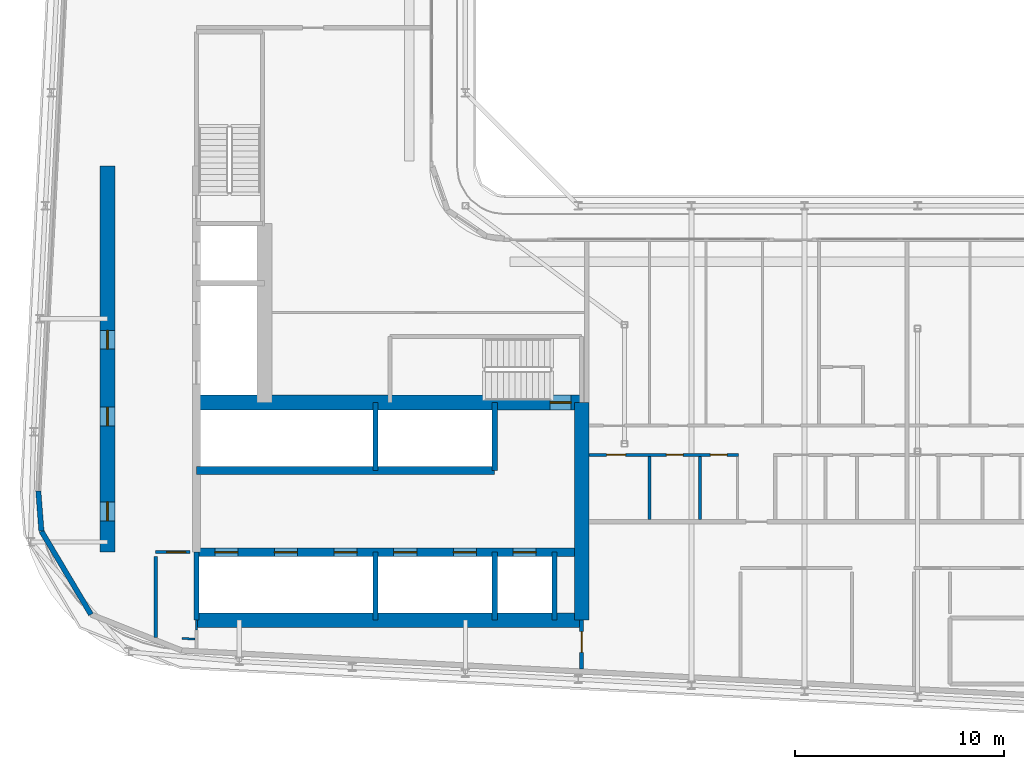
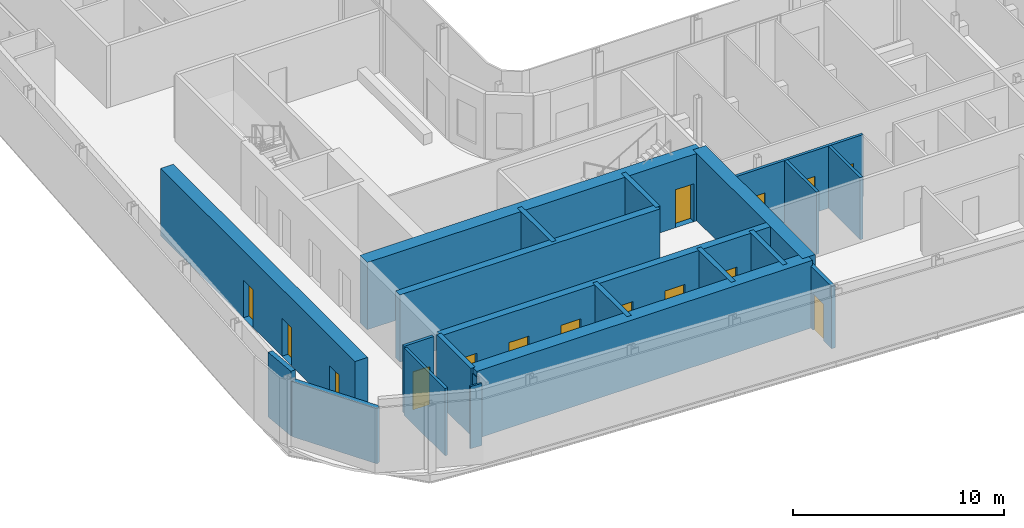
# One storey, part 10 of 23: 22 walls, 15 doors, 15 openings.
"""IFC4 building model written with IfcOpenShell, lengths in metres."""

import ifcopenshell
import ifcopenshell.guid

model = None  # the IFC model being written
_history = None  # IfcOwnerHistory: only IFC2X3 demands one
_inside = {}  # id of a spatial element -> (the spatial element, [elements in it])
_under = {}  # id of a project, library or spatial element -> (it, [spatial elements below it])
_declared = {}  # id of a project -> (the project, [libraries it declares])
_typed = {}  # id of a type object -> (the type object, [elements of that type])
_made_of = {}  # id of a material, layer set ... -> (it, [elements and type objects made of it])


def new_model(schema):
    """Start an empty IFC model of exactly this schema.

    Asked for "IFC4X3", IfcOpenShell would pick the latest addendum, in which some entities
    have other attributes; the version numbers below select the first issue.
    IFC2X3 requires an IfcOwnerHistory on every rooted entity: one is made here for all.
    """
    global model, _history
    if schema == "IFC4X3":
        model = ifcopenshell.file(schema_version=(4, 3, 0, 0))
    else:
        model = ifcopenshell.file(schema=schema)
    _inside.clear()
    _under.clear()
    _declared.clear()
    _typed.clear()
    _made_of.clear()
    _history = None
    if model.schema == "IFC2X3":
        org = make("IfcOrganization", Name="unknown")
        user = make(
            "IfcPersonAndOrganization",
            ThePerson=make("IfcPerson", FamilyName="unknown"),
            TheOrganization=org,
        )
        app = make(
            "IfcApplication",
            ApplicationDeveloper=org,
            Version="unknown",
            ApplicationFullName="unknown",
            ApplicationIdentifier="unknown",
        )
        _history = make(
            "IfcOwnerHistory",
            OwningUser=user,
            OwningApplication=app,
            ChangeAction="ADDED",
            CreationDate=0,
        )
    return model


def make(cls, **values):
    """One entity of the class cls with the attributes given. An attribute that is None is left unset."""
    return model.create_entity(
        cls, **{name: value for name, value in values.items() if value is not None}
    )


def rooted(cls, **values):
    """An entity with a GlobalId (a new one), such as an element, a storey or a relation."""
    return make(cls, GlobalId=ifcopenshell.guid.new(), OwnerHistory=_history, **values)


def si_unit(unit_type, name, prefix=None):
    """IfcSIUnit, for example si_unit("LENGTHUNIT", "METRE", prefix="MILLI")."""
    return make("IfcSIUnit", UnitType=unit_type, Prefix=prefix, Name=name)


def assignment(units):
    """IfcUnitAssignment: the units of a project."""
    return None if units is None else make("IfcUnitAssignment", Units=units)


def point(xyz):
    """IfcCartesianPoint."""
    return None if xyz is None else make("IfcCartesianPoint", Coordinates=xyz)


def direction(xyz):
    """IfcDirection."""
    return None if xyz is None else make("IfcDirection", DirectionRatios=xyz)


def frame(location, z_axis=None, x_axis=None):
    """IfcAxis2Placement3D, a coordinate frame: its origin and axes. An axis left out is left unset."""
    return make(
        "IfcAxis2Placement3D",
        Location=point(location),
        Axis=direction(z_axis),
        RefDirection=direction(x_axis),
    )


def frame_2d(location, x_axis=None):
    """IfcAxis2Placement2D, a coordinate frame in the plane: its origin and x axis."""
    return make(
        "IfcAxis2Placement2D", Location=point(location), RefDirection=direction(x_axis)
    )


def origin():
    """The frame at (0, 0, 0) with its axes left unset."""
    return frame((0.0, 0.0, 0.0))


def place(relative_to, where):
    """IfcLocalPlacement: puts the frame where relative to a parent placement (None: the world)."""
    return make(
        "IfcLocalPlacement", PlacementRelTo=relative_to, RelativePlacement=where
    )


def context(
    kind, dimensions, precision=None, world=None, true_north=None, identifier=None
):
    """IfcGeometricRepresentationContext, for example the 3D "Model" context."""
    return make(
        "IfcGeometricRepresentationContext",
        ContextIdentifier=identifier,
        ContextType=kind,
        CoordinateSpaceDimension=dimensions,
        Precision=precision,
        WorldCoordinateSystem=world,
        TrueNorth=true_north,
    )


def subcontext(parent, identifier, kind, view, scale=None):
    """IfcGeometricRepresentationSubContext, for example "Body" below "Model"."""
    return make(
        "IfcGeometricRepresentationSubContext",
        ContextIdentifier=identifier,
        ContextType=kind,
        ParentContext=parent,
        TargetScale=scale,
        TargetView=view,
    )


def project(units=None, contexts=None):
    """IfcProject with its units and contexts."""
    return rooted(
        "IfcProject",
        Name="project",
        RepresentationContexts=contexts,
        UnitsInContext=assignment(units),
    )


def spatial(cls, under=None, at=None, **own):
    """A site, building, storey or space (cls), placed at a placement, below another one or the project."""
    s = rooted(cls, ObjectPlacement=at, **own)
    if under is not None:
        _under.setdefault(under.id(), (under, []))[1].append(s)
    return s


def profile(cls, at=None, kind="AREA", **sizes):
    """A parametric profile (cls). Its sizes go by their IFC names, for example OverallWidth=200.0."""
    return make(cls, ProfileType=kind, Position=at, **sizes)


def rectangle(**sizes):
    """IfcRectangleProfileDef."""
    return profile("IfcRectangleProfileDef", **sizes)


def extrude(swept, where, along, depth):
    """IfcExtrudedAreaSolid: the profile swept, set in the frame where, extruded along a direction by depth."""
    return make(
        "IfcExtrudedAreaSolid",
        SweptArea=swept,
        Position=where,
        ExtrudedDirection=direction(along),
        Depth=depth,
    )


def shape(context_of_items, identifier, shape_type, items):
    """IfcShapeRepresentation: the items that make up one representation, for example the "Body"."""
    return make(
        "IfcShapeRepresentation",
        ContextOfItems=context_of_items,
        RepresentationIdentifier=identifier,
        RepresentationType=shape_type,
        Items=items,
    )


def source(mapping_origin, context_of_items, identifier, shape_type, items):
    """IfcRepresentationMap: a shape defined once, which mapped items show again and again."""
    return make(
        "IfcRepresentationMap",
        MappingOrigin=mapping_origin,
        MappedRepresentation=shape(context_of_items, identifier, shape_type, items),
    )


def transform(
    local_origin,
    x_axis=None,
    y_axis=None,
    z_axis=None,
    scale=None,
    scale2=None,
    scale3=None,
    uniform=True,
):
    """IfcCartesianTransformationOperator3D, or its non-uniform kind. x_axis, y_axis, z_axis: its Axis1, 2, 3."""
    if uniform:
        return make(
            "IfcCartesianTransformationOperator3D",
            Axis1=direction(x_axis),
            Axis2=direction(y_axis),
            LocalOrigin=point(local_origin),
            Scale=scale,
            Axis3=direction(z_axis),
        )
    return make(
        "IfcCartesianTransformationOperator3DnonUniform",
        Axis1=direction(x_axis),
        Axis2=direction(y_axis),
        LocalOrigin=point(local_origin),
        Scale=scale,
        Axis3=direction(z_axis),
        Scale2=scale2,
        Scale3=scale3,
    )


def mapped(mapping_source, mapping_target):
    """IfcMappedItem: shows the shape of a source again, moved by a transform."""
    return make(
        "IfcMappedItem", MappingSource=mapping_source, MappingTarget=mapping_target
    )


def material(Name=None, Category=None):
    """IfcMaterial."""
    return make("IfcMaterial", Name=Name, Category=Category)


def layer(
    of_material, thickness, ventilated=None, Name=None, Category=None, Priority=None
):
    """IfcMaterialLayer: one layer of a wall or slab, of a material (None: an air gap)."""
    return make(
        "IfcMaterialLayer",
        Material=of_material,
        LayerThickness=thickness,
        IsVentilated=ventilated,
        Name=Name,
        Category=Category,
        Priority=Priority,
    )


def layer_set(layers, Name=None):
    """IfcMaterialLayerSet."""
    return make("IfcMaterialLayerSet", MaterialLayers=layers, LayerSetName=Name)


def made_of(thing, what):
    """Note that an element or type object is made of a material, layer set ...; save() writes the relation."""
    if what is not None:
        _made_of.setdefault(what.id(), (what, []))[1].append(thing)
    return thing


def type_object(cls, material=None, **own):
    """A type object (cls), such as IfcWallType, which elements share."""
    return made_of(rooted(cls, **own), material)


def element(
    cls,
    number,
    at=None,
    inside=None,
    cuts=None,
    type_object=None,
    material=None,
    context=None,
    identifier="Body",
    shape_type=None,
    held_by="IfcProductDefinitionShape",
    body=None,
    shapes=None,
    **own,
):
    """One element of the class cls, such as IfcWall. Its Tag is "e" and its number.

    at: its placement. inside: the storey or other place that contains it. cuts: it is an
    opening in that element (IfcRelVoidsElement). A single representation is given by context,
    identifier, shape_type and body (its items); several are given by shapes. held_by: the class
    of the entity that holds the representations. save() writes the other relations.
    """
    e = rooted(cls, Tag="e%d" % number, ObjectPlacement=at, **own)
    if body is not None:
        shapes = [shape(context, identifier, shape_type, body)]
    if shapes is not None:
        e.Representation = make(held_by, Representations=shapes)
    if inside is not None:
        _inside.setdefault(inside.id(), (inside, []))[1].append(e)
    if cuts is not None:
        rooted(
            "IfcRelVoidsElement", RelatingBuildingElement=cuts, RelatedOpeningElement=e
        )
    if type_object is not None:
        _typed.setdefault(type_object.id(), (type_object, []))[1].append(e)
    return made_of(e, material)


def fill(opening, filler):
    """IfcRelFillsElement: the door or window that sits in an opening."""
    return rooted(
        "IfcRelFillsElement",
        RelatingOpeningElement=opening,
        RelatedBuildingElement=filler,
    )


def aggregate(whole, parts):
    """IfcRelAggregates: a whole, such as a stair, and the parts it consists of."""
    return rooted("IfcRelAggregates", RelatingObject=whole, RelatedObjects=parts)


def save(model, path):
    """Write the relations noted so far, then the file.

    IfcRelAggregates (storeys below a building ...), IfcRelContainedInSpatialStructure (elements
    in a storey), IfcRelDefinesByType, IfcRelAssociatesMaterial and IfcRelDeclares: one each for
    every whole, place, type object, material and project.
    """
    for whole, parts in _under.values():
        aggregate(whole, parts)
    for where, things in _inside.values():
        rooted(
            "IfcRelContainedInSpatialStructure",
            RelatedElements=things,
            RelatingStructure=where,
        )
    for kind, things in _typed.values():
        rooted("IfcRelDefinesByType", RelatedObjects=things, RelatingType=kind)
    for what, things in _made_of.values():
        rooted("IfcRelAssociatesMaterial", RelatedObjects=things, RelatingMaterial=what)
    for by, libraries in _declared.values():
        rooted("IfcRelDeclares", RelatingContext=by, RelatedDefinitions=libraries)
    model.write(path)


model = new_model("IFC4")

# Units and contexts
model_context = context("Model", 3, precision=1e-05, world=origin(), true_north=direction((0.0, 1.0)))
body_context = subcontext(model_context, "Body", "Model", "MODEL_VIEW")
ifc_project = project(units=[si_unit("LENGTHUNIT", "METRE"), si_unit("AREAUNIT", "SQUARE_METRE"), si_unit("VOLUMEUNIT", "CUBIC_METRE"), si_unit("PLANEANGLEUNIT", "RADIAN"), si_unit("MASSUNIT", "GRAM", prefix="KILO")], contexts=[model_context])

# Site, building, storey
site_placement = place(None, origin())
site = spatial("IfcSite", under=ifc_project, at=site_placement, CompositionType="ELEMENT")
building_placement = place(site_placement, origin())
building = spatial("IfcBuilding", under=site, at=building_placement, Name="Kheshtan School and Residences Tower", CompositionType="ELEMENT")
storey_placement = place(building_placement, frame((0.0, 0.0, 243.5)))
storey = spatial("IfcBuildingStorey", under=building, at=storey_placement, Name="L57", CompositionType="ELEMENT", Elevation=243.5)

# Wall, openings, doors
ifc_material_1 = material(Name="Concrete C50/60", Category="concrete")
ifc_layer_1 = layer(ifc_material_1, 0.39990234375)
ifc_layer_set_1 = layer_set([ifc_layer_1], Name="Core wall 400 Concrete C50/60")
wall_type_1 = type_object("IfcWallType", Name="Core wall 400 Concrete C50/60", PredefinedType="SHEAR", material=ifc_layer_set_1)
wall_1_placement = place(storey_placement, frame((34.75, 29.050048828125, 0.0), z_axis=(0.0, 0.0, 1.0), x_axis=(1.0, 0.0, 0.0)))
wall_1 = element("IfcWall", 1, at=wall_1_placement, inside=storey, type_object=wall_type_1, Name="Core wall CW-HALL-S1", PredefinedType="SHEAR", context=body_context, shape_type="SweptSolid", body=[
    extrude(rectangle(XDim=18.39990234375, YDim=0.39990234375, at=frame_2d((9.199951171875, 0.0))), origin(), (0.0, 0.0, 1.0), 3.89990234375),
])
opening_1_placement = place(wall_1_placement, frame((0.875, 0.0, 0.0)))
opening_1 = element("IfcOpeningElement", 2, at=opening_1_placement, cuts=wall_1, Name="Opening LD", PredefinedType="OPENING", context=body_context, shape_type="SweptSolid", body=[
    extrude(rectangle(XDim=1.10009765625, YDim=2.199951171875, at=frame_2d((0.550048828125, 1.10009765625))), frame((0.0, 0.2099609375, 0.0), z_axis=(0.0, -1.0, 0.0), x_axis=(1.0, 0.0, 0.0)), (0.0, 0.0, 1.0), 0.419921875),
])
opening_2_placement = place(wall_1_placement, frame((3.72509765625, 0.0, 0.0)))
opening_2 = element("IfcOpeningElement", 3, at=opening_2_placement, cuts=wall_1, Name="Opening LD", PredefinedType="OPENING", context=body_context, shape_type="SweptSolid", body=[
    extrude(rectangle(XDim=1.10009765625, YDim=2.199951171875, at=frame_2d((0.550048828125, 1.10009765625))), frame((0.0, 0.2099609375, 0.0), z_axis=(0.0, -1.0, 0.0), x_axis=(1.0, 0.0, 0.0)), (0.0, 0.0, 1.0), 0.419921875),
])
opening_3_placement = place(wall_1_placement, frame((6.574951171875, 0.0, 0.0)))
opening_3 = element("IfcOpeningElement", 4, at=opening_3_placement, cuts=wall_1, Name="Opening LD", PredefinedType="OPENING", context=body_context, shape_type="SweptSolid", body=[
    extrude(rectangle(XDim=1.10009765625, YDim=2.199951171875, at=frame_2d((0.550048828125, 1.10009765625))), frame((0.0, 0.2099609375, 0.0), z_axis=(0.0, -1.0, 0.0), x_axis=(1.0, 0.0, 0.0)), (0.0, 0.0, 1.0), 0.419921875),
])
opening_4_placement = place(wall_1_placement, frame((9.425048828125, 0.0, 0.0)))
opening_4 = element("IfcOpeningElement", 5, at=opening_4_placement, cuts=wall_1, Name="Opening LD", PredefinedType="OPENING", context=body_context, shape_type="SweptSolid", body=[
    extrude(rectangle(XDim=1.10009765625, YDim=2.199951171875, at=frame_2d((0.550048828125, 1.10009765625))), frame((0.0, 0.2099609375, 0.0), z_axis=(0.0, -1.0, 0.0), x_axis=(1.0, 0.0, 0.0)), (0.0, 0.0, 1.0), 0.419921875),
])
opening_5_placement = place(wall_1_placement, frame((12.27490234375, 0.0, 0.0)))
opening_5 = element("IfcOpeningElement", 6, at=opening_5_placement, cuts=wall_1, Name="Opening LD", PredefinedType="OPENING", context=body_context, shape_type="SweptSolid", body=[
    extrude(rectangle(XDim=1.10009765625, YDim=2.199951171875, at=frame_2d((0.550048828125, 1.10009765625))), frame((0.0, 0.2099609375, 0.0), z_axis=(0.0, -1.0, 0.0), x_axis=(1.0, 0.0, 0.0)), (0.0, 0.0, 1.0), 0.419921875),
])
opening_6_placement = place(wall_1_placement, frame((15.125, 0.0, 0.0)))
opening_6 = element("IfcOpeningElement", 7, at=opening_6_placement, cuts=wall_1, Name="Opening LD", PredefinedType="OPENING", context=body_context, shape_type="SweptSolid", body=[
    extrude(rectangle(XDim=1.10009765625, YDim=2.199951171875, at=frame_2d((0.550048828125, 1.10009765625))), frame((0.0, 0.2099609375, 0.0), z_axis=(0.0, -1.0, 0.0), x_axis=(1.0, 0.0, 0.0)), (0.0, 0.0, 1.0), 0.419921875),
])
ifc_material_2 = material(Name="Stainless steel door leaves", Category="steel")
door_type_1 = type_object("IfcDoorType", Name="Lift landing door 1100", OperationType="SLIDING_TO_LEFT", PredefinedType="DOOR", material=ifc_material_2)
shared_shape_1 = source(origin(), body_context, "Body", "SweptSolid", [
    extrude(rectangle(XDim=1.10009765625, YDim=2.199951171875, at=frame_2d((0.550048828125, 1.10009765625))), frame((0.0, 0.02490234375, 0.0), z_axis=(0.0, -1.0, 0.0), x_axis=(1.0, 0.0, 0.0)), (0.0, 0.0, 1.0), 0.050048828125),
])
door_1_placement = place(opening_1_placement, origin())
door_1 = element("IfcDoor", 8, at=door_1_placement, inside=storey, type_object=door_type_1, Name="Lift P7 landing door", OperationType="SLIDING_TO_LEFT", OverallHeight=2.199951171875, OverallWidth=1.10009765625, PredefinedType="DOOR", context=body_context, shape_type="MappedRepresentation", body=[
    mapped(shared_shape_1, transform((0.0, 0.0, 0.0), x_axis=(1.0, 0.0, 0.0), y_axis=(0.0, 1.0, 0.0), z_axis=(0.0, 0.0, 1.0), scale=1.0)),
])
fill(opening_1, door_1)
door_2_placement = place(opening_2_placement, origin())
door_2 = element("IfcDoor", 9, at=door_2_placement, inside=storey, type_object=door_type_1, Name="Lift P8 landing door", OperationType="SLIDING_TO_LEFT", OverallHeight=2.199951171875, OverallWidth=1.10009765625, PredefinedType="DOOR", context=body_context, shape_type="MappedRepresentation", body=[
    mapped(shared_shape_1, transform((0.0, 0.0, 0.0), x_axis=(1.0, 0.0, 0.0), y_axis=(0.0, 1.0, 0.0), z_axis=(0.0, 0.0, 1.0), scale=1.0)),
])
fill(opening_2, door_2)
door_3_placement = place(opening_3_placement, origin())
door_3 = element("IfcDoor", 10, at=door_3_placement, inside=storey, type_object=door_type_1, Name="Lift P9 landing door", OperationType="SLIDING_TO_LEFT", OverallHeight=2.199951171875, OverallWidth=1.10009765625, PredefinedType="DOOR", context=body_context, shape_type="MappedRepresentation", body=[
    mapped(shared_shape_1, transform((0.0, 0.0, 0.0), x_axis=(1.0, 0.0, 0.0), y_axis=(0.0, 1.0, 0.0), z_axis=(0.0, 0.0, 1.0), scale=1.0)),
])
fill(opening_3, door_3)
door_4_placement = place(opening_4_placement, origin())
door_4 = element("IfcDoor", 11, at=door_4_placement, inside=storey, type_object=door_type_1, Name="Lift P10 landing door", OperationType="SLIDING_TO_LEFT", OverallHeight=2.199951171875, OverallWidth=1.10009765625, PredefinedType="DOOR", context=body_context, shape_type="MappedRepresentation", body=[
    mapped(shared_shape_1, transform((0.0, 0.0, 0.0), x_axis=(1.0, 0.0, 0.0), y_axis=(0.0, 1.0, 0.0), z_axis=(0.0, 0.0, 1.0), scale=1.0)),
])
fill(opening_4, door_4)
door_5_placement = place(opening_5_placement, origin())
door_5 = element("IfcDoor", 12, at=door_5_placement, inside=storey, type_object=door_type_1, Name="Lift P11 landing door", OperationType="SLIDING_TO_LEFT", OverallHeight=2.199951171875, OverallWidth=1.10009765625, PredefinedType="DOOR", context=body_context, shape_type="MappedRepresentation", body=[
    mapped(shared_shape_1, transform((0.0, 0.0, 0.0), x_axis=(1.0, 0.0, 0.0), y_axis=(0.0, 1.0, 0.0), z_axis=(0.0, 0.0, 1.0), scale=1.0)),
])
fill(opening_5, door_5)
door_6_placement = place(opening_6_placement, origin())
door_6 = element("IfcDoor", 13, at=door_6_placement, inside=storey, type_object=door_type_1, Name="Lift FFL2 landing door", OperationType="SLIDING_TO_LEFT", OverallHeight=2.199951171875, OverallWidth=1.10009765625, PredefinedType="DOOR", context=body_context, shape_type="MappedRepresentation", body=[
    mapped(shared_shape_1, transform((0.0, 0.0, 0.0), x_axis=(1.0, 0.0, 0.0), y_axis=(0.0, 1.0, 0.0), z_axis=(0.0, 0.0, 1.0), scale=1.0)),
])
fill(opening_6, door_6)

# Walls
wall_2_placement = place(storey_placement, frame((34.75, 32.949951171875, 0.0), z_axis=(0.0, 0.0, 1.0), x_axis=(1.0, 0.0, 0.0)))
element("IfcWall", 14, at=wall_2_placement, inside=storey, type_object=wall_type_1, Name="Core wall CW-HALL-S2", PredefinedType="SHEAR", context=body_context, shape_type="SweptSolid", body=[
    extrude(rectangle(XDim=14.25, YDim=0.39990234375, at=frame_2d((7.125, 0.0))), origin(), (0.0, 0.0, 1.0), 3.89990234375),
])
ifc_material_3 = material(Name="Concrete C70/85", Category="concrete")
ifc_layer_2 = layer(ifc_material_3, 0.699951171875)
ifc_layer_set_2 = layer_set([ifc_layer_2], Name="Core wall 700 Concrete C70/85")
wall_type_2 = type_object("IfcWallType", Name="Core wall 700 Concrete C70/85", PredefinedType="SHEAR", material=ifc_layer_set_2)
wall_3_placement = place(storey_placement, frame((34.75, 25.800048828125, 0.0), z_axis=(0.0, 0.0, 1.0), x_axis=(1.0, 0.0, 0.0)))
element("IfcWall", 15, at=wall_3_placement, inside=storey, type_object=wall_type_2, Name="Core wall CW-REAR-S", PredefinedType="SHEAR", context=body_context, shape_type="SweptSolid", body=[
    extrude(rectangle(XDim=18.39990234375, YDim=0.699951171875, at=frame_2d((9.199951171875, 0.0))), origin(), (0.0, 0.0, 1.0), 3.89990234375),
])

# Wall, opening, door
wall_4_placement = place(storey_placement, frame((34.75, 36.199951171875, 0.0), z_axis=(0.0, 0.0, 1.0), x_axis=(1.0, 0.0, 0.0)))
wall_4 = element("IfcWall", 16, at=wall_4_placement, inside=storey, type_object=wall_type_2, Name="Core wall CW-FRONT-S", PredefinedType="SHEAR", context=body_context, shape_type="SweptSolid", body=[
    extrude(rectangle(XDim=18.39990234375, YDim=0.699951171875, at=frame_2d((9.199951171875, 0.0))), origin(), (0.0, 0.0, 1.0), 3.89990234375),
])
opening_7_placement = place(wall_4_placement, frame((16.89990234375, 0.0, 0.0)))
opening_7 = element("IfcOpeningElement", 17, at=opening_7_placement, cuts=wall_4, Name="Opening ST1D", PredefinedType="OPENING", context=body_context, shape_type="SweptSolid", body=[
    extrude(rectangle(XDim=1.0, YDim=2.199951171875, at=frame_2d((0.5, 1.10009765625))), frame((0.0, 0.35986328125, 0.0), z_axis=(0.0, -1.0, 0.0), x_axis=(1.0, 0.0, 0.0)), (0.0, 0.0, 1.0), 0.719970703125),
])
ifc_material_4 = material(Name="Steel door leaf, galvanised", Category="steel")
door_type_2 = type_object("IfcDoorType", Name="Stair door 1100 steel 90 min", OperationType="SINGLE_SWING_LEFT", PredefinedType="DOOR", material=ifc_material_4)
shared_shape_2 = source(origin(), body_context, "Body", "SweptSolid", [
    extrude(rectangle(XDim=1.0, YDim=2.199951171875, at=frame_2d((0.5, 1.10009765625))), frame((0.0, 0.02490234375, 0.0), z_axis=(0.0, -1.0, 0.0), x_axis=(1.0, 0.0, 0.0)), (0.0, 0.0, 1.0), 0.050048828125),
])
door_7_placement = place(opening_7_placement, origin())
door_7 = element("IfcDoor", 18, at=door_7_placement, inside=storey, type_object=door_type_2, Name="Stair ST1 door", OperationType="SINGLE_SWING_RIGHT", OverallHeight=2.199951171875, OverallWidth=1.0, PredefinedType="DOOR", context=body_context, shape_type="MappedRepresentation", body=[
    mapped(shared_shape_2, transform((0.0, 0.0, 0.0), x_axis=(1.0, 0.0, 0.0), y_axis=(0.0, 1.0, 0.0), z_axis=(0.0, 0.0, 1.0), scale=1.0)),
])
fill(opening_7, door_7)

# Wall, openings, doors
wall_5_placement = place(storey_placement, frame((30.5, 29.050048828125, 0.0), z_axis=(0.0, 0.0, 1.0), x_axis=(0.0, 1.0, 0.0)))
wall_5 = element("IfcWall", 19, at=wall_5_placement, inside=storey, type_object=wall_type_2, Name="Core wall CW-REAR-W", PredefinedType="SHEAR", context=body_context, shape_type="SweptSolid", body=[
    extrude(rectangle(XDim=18.449951171875, YDim=0.699951171875, at=frame_2d((9.22509765625, 0.0))), origin(), (0.0, 0.0, 1.0), 3.89990234375),
])
opening_8_placement = place(wall_5_placement, frame((1.5, 0.0, 0.0)))
opening_8 = element("IfcOpeningElement", 20, at=opening_8_placement, cuts=wall_5, Name="Opening SR90", PredefinedType="OPENING", context=body_context, shape_type="SweptSolid", body=[
    extrude(rectangle(XDim=0.89990234375, YDim=2.199951171875, at=frame_2d((0.449951171875, 1.10009765625))), frame((0.0, 0.35986328125, 0.0), z_axis=(0.0, -1.0, 0.0), x_axis=(1.0, 0.0, 0.0)), (0.0, 0.0, 1.0), 0.719970703125),
])
opening_9_placement = place(wall_5_placement, frame((6.030029296875, 0.0, 0.0)))
opening_9 = element("IfcOpeningElement", 21, at=opening_9_placement, cuts=wall_5, Name="Opening SR90", PredefinedType="OPENING", context=body_context, shape_type="SweptSolid", body=[
    extrude(rectangle(XDim=0.89990234375, YDim=2.199951171875, at=frame_2d((0.449951171875, 1.10009765625))), frame((0.0, 0.35986328125, 0.0), z_axis=(0.0, -1.0, 0.0), x_axis=(1.0, 0.0, 0.0)), (0.0, 0.0, 1.0), 0.719970703125),
])
opening_10_placement = place(wall_5_placement, frame((9.699951171875, 0.0, 0.0)))
opening_10 = element("IfcOpeningElement", 22, at=opening_10_placement, cuts=wall_5, Name="Opening SR90", PredefinedType="OPENING", context=body_context, shape_type="SweptSolid", body=[
    extrude(rectangle(XDim=0.89990234375, YDim=2.199951171875, at=frame_2d((0.449951171875, 1.10009765625))), frame((0.0, 0.35986328125, 0.0), z_axis=(0.0, -1.0, 0.0), x_axis=(1.0, 0.0, 0.0)), (0.0, 0.0, 1.0), 0.719970703125),
])
door_type_3 = type_object("IfcDoorType", Name="Service room door 900 steel 90 min", OperationType="SINGLE_SWING_LEFT", PredefinedType="DOOR", material=ifc_material_4)
shared_shape_3 = source(origin(), body_context, "Body", "SweptSolid", [
    extrude(rectangle(XDim=0.89990234375, YDim=2.199951171875, at=frame_2d((0.449951171875, 1.10009765625))), frame((0.0, 0.02490234375, 0.0), z_axis=(0.0, -1.0, 0.0), x_axis=(1.0, 0.0, 0.0)), (0.0, 0.0, 1.0), 0.050048828125),
])
door_8_placement = place(opening_8_placement, origin())
door_8 = element("IfcDoor", 23, at=door_8_placement, inside=storey, type_object=door_type_3, Name="Service room door", OperationType="SINGLE_SWING_LEFT", OverallHeight=2.199951171875, OverallWidth=0.89990234375, PredefinedType="DOOR", context=body_context, shape_type="MappedRepresentation", body=[
    mapped(shared_shape_3, transform((0.0, 0.0, 0.0), x_axis=(1.0, 0.0, 0.0), y_axis=(0.0, 1.0, 0.0), z_axis=(0.0, 0.0, 1.0), scale=1.0)),
])
fill(opening_8, door_8)
door_9_placement = place(opening_9_placement, origin())
door_9 = element("IfcDoor", 24, at=door_9_placement, inside=storey, type_object=door_type_3, Name="Service room door", OperationType="SINGLE_SWING_RIGHT", OverallHeight=2.199951171875, OverallWidth=0.89990234375, PredefinedType="DOOR", context=body_context, shape_type="MappedRepresentation", body=[
    mapped(shared_shape_3, transform((0.0, 0.0, 0.0), x_axis=(1.0, 0.0, 0.0), y_axis=(0.0, 1.0, 0.0), z_axis=(0.0, 0.0, 1.0), scale=1.0)),
])
fill(opening_9, door_9)
door_10_placement = place(opening_10_placement, origin())
door_10 = element("IfcDoor", 25, at=door_10_placement, inside=storey, type_object=door_type_3, Name="Service room door", OperationType="SINGLE_SWING_LEFT", OverallHeight=2.199951171875, OverallWidth=0.89990234375, PredefinedType="DOOR", context=body_context, shape_type="MappedRepresentation", body=[
    mapped(shared_shape_3, transform((0.0, 0.0, 0.0), x_axis=(1.0, 0.0, 0.0), y_axis=(0.0, 1.0, 0.0), z_axis=(0.0, 0.0, 1.0), scale=1.0)),
])
fill(opening_10, door_10)

# Wall
wall_6_placement = place(storey_placement, frame((53.14990234375, 25.800048828125, 0.0), z_axis=(0.0, 0.0, 1.0), x_axis=(0.0, 1.0, 0.0)))
element("IfcWall", 26, at=wall_6_placement, inside=storey, type_object=wall_type_2, Name="Core wall CW-EAST", PredefinedType="SHEAR", context=body_context, shape_type="SweptSolid", body=[
    extrude(rectangle(XDim=10.39990234375, YDim=0.699951171875, at=frame_2d((5.199951171875, 0.0))), origin(), (0.0, 0.0, 1.0), 3.89990234375),
])

# Wall, opening, door
ifc_material_5 = material(Name="Gypsum board on steel studs with fire boards", Category="steel")
ifc_layer_3 = layer(ifc_material_5, 0.199951171875)
ifc_layer_set_3 = layer_set([ifc_layer_3], Name="Corridor wall 200")
wall_type_3 = type_object("IfcWallType", Name="Corridor wall 200", PredefinedType="PARTITIONING", material=ifc_layer_set_3)
wall_7_placement = place(storey_placement, frame((53.14990234375, 23.472412109375, 0.0), z_axis=(0.0, 0.0, 1.0), x_axis=(0.0, 1.0, 0.0)))
wall_7 = element("IfcWall", 27, at=wall_7_placement, inside=storey, type_object=wall_type_3, Name="Partition L57-034", PredefinedType="PARTITIONING", context=body_context, shape_type="SweptSolid", body=[
    extrude(rectangle(XDim=2.32763671875, YDim=0.199951171875, at=frame_2d((1.163818359375, 0.0))), origin(), (0.0, 0.0, 1.0), 3.60009765625),
])
opening_11_placement = place(wall_7_placement, frame((0.784912109375, 0.0, 0.0)))
opening_11 = element("IfcOpeningElement", 28, at=opening_11_placement, cuts=wall_7, Name="Opening D56-047", PredefinedType="OPENING", context=body_context, shape_type="SweptSolid", body=[
    extrude(rectangle(XDim=1.0, YDim=2.10009765625, at=frame_2d((0.5, 1.050048828125))), frame((0.0, 0.10986328125, 0.0), z_axis=(0.0, -1.0, 0.0), x_axis=(1.0, 0.0, 0.0)), (0.0, 0.0, 1.0), 0.219970703125),
])
ifc_material_6 = material(Name="Steel-framed fire-resisting door leaf", Category="steel")
door_type_4 = type_object("IfcDoorType", Name="Fire door FD60 1000 x 2100", OperationType="SINGLE_SWING_LEFT", PredefinedType="DOOR", material=ifc_material_6)
shared_shape_4 = source(origin(), body_context, "Body", "SweptSolid", [
    extrude(rectangle(XDim=1.0, YDim=2.10009765625, at=frame_2d((0.5, 1.050048828125))), frame((0.0, 0.02490234375, 0.0), z_axis=(0.0, -1.0, 0.0), x_axis=(1.0, 0.0, 0.0)), (0.0, 0.0, 1.0), 0.050048828125),
])
door_11_placement = place(opening_11_placement, origin())
door_11 = element("IfcDoor", 29, at=door_11_placement, inside=storey, type_object=door_type_4, Name="Door D56-047", OperationType="SINGLE_SWING_RIGHT", OverallHeight=2.10009765625, OverallWidth=1.0, PredefinedType="DOOR", context=body_context, shape_type="MappedRepresentation", body=[
    mapped(shared_shape_4, transform((0.0, 0.0, 0.0), x_axis=(1.0, 0.0, 0.0), y_axis=(0.0, 1.0, 0.0), z_axis=(0.0, 0.0, 1.0), scale=1.0)),
])
fill(opening_11, door_11)

# Walls
ifc_material_7 = material(Name="Concrete C40/50 with ceramic cladding and mineral wool insulation", Category="concrete")
ifc_layer_4 = layer(ifc_material_7, 0.25)
ifc_layer_set_4 = layer_set([ifc_layer_4], Name="External wall 250 ceramic clad")
wall_type_4 = type_object("IfcWallType", Name="External wall 250 ceramic clad", PredefinedType="SOLIDWALL", material=ifc_layer_set_4)
wall_8_placement = place(storey_placement, frame((29.7119140625, 26.072021484375, 0.0), z_axis=(0.0, 0.0, 1.0), x_axis=(-0.511028049012, 0.859564036662, 0.0)))
element("IfcWall", 30, at=wall_8_placement, inside=storey, type_object=wall_type_4, Name="External wall L57 2", PredefinedType="SOLIDWALL", context=body_context, shape_type="SweptSolid", body=[
    extrude(rectangle(XDim=4.633544921875, YDim=0.25, at=frame_2d((2.31689453125, 0.0))), origin(), (0.0, 0.0, 1.0), 3.217041015625),
])
wall_9_placement = place(storey_placement, frame((27.343994140625, 30.054931640625, 0.0), z_axis=(0.0, 0.0, 1.0), x_axis=(-0.077571675317, 0.99698677784, 0.0)))
element("IfcWall", 31, at=wall_9_placement, inside=storey, type_object=wall_type_4, Name="External wall L57 3", PredefinedType="SOLIDWALL", context=body_context, shape_type="SweptSolid", body=[
    extrude(rectangle(XDim=1.919921875, YDim=0.25, at=frame_2d((0.9599609375, 0.0))), origin(), (0.0, 0.0, 1.0), 3.75),
])
ifc_material_8 = material(Name="Gypsum board on steel studs", Category="steel")
ifc_layer_5 = layer(ifc_material_8, 0.10009765625)
ifc_layer_set_5 = layer_set([ifc_layer_5], Name="Gypsum partition 100")
wall_type_5 = type_object("IfcWallType", Name="Gypsum partition 100", PredefinedType="PARTITIONING", material=ifc_layer_set_5)
wall_10_placement = place(storey_placement, frame((34.06298828125, 24.928955078125, 0.0), z_axis=(0.0, 0.0, 1.0), x_axis=(0.99864189377, -0.052099597007, 0.0)))
element("IfcWall", 32, at=wall_10_placement, inside=storey, type_object=wall_type_5, Name="Partition L57-016", PredefinedType="PARTITIONING", context=body_context, shape_type="SweptSolid", body=[
    extrude(rectangle(XDim=0.61376953125, YDim=0.10009765625, at=frame_2d((0.306884765625, 0.0))), origin(), (0.0, 0.0, 1.0), 3.60009765625),
])
wall_11_placement = place(storey_placement, frame((34.75, 25.3291015625, 0.0), z_axis=(0.0, 0.0, 1.0), x_axis=(0.0, 1.0, 0.0)))
element("IfcWall", 33, at=wall_11_placement, inside=storey, type_object=wall_type_5, Name="Partition L57-017", PredefinedType="PARTITIONING", context=body_context, shape_type="SweptSolid", body=[
    extrude(rectangle(XDim=0.470947265625, YDim=0.10009765625, at=frame_2d((0.2353515625, 0.0))), origin(), (0.0, 0.0, 1.0), 3.60009765625),
])

# Wall, opening, door
ifc_material_9 = material(Name="Fire-board shaft wall system")
ifc_layer_6 = layer(ifc_material_9, 0.14990234375)
ifc_layer_set_6 = layer_set([ifc_layer_6], Name="Service room wall 150")
wall_type_6 = type_object("IfcWallType", Name="Service room wall 150", PredefinedType="PARTITIONING", material=ifc_layer_set_6)
wall_12_placement = place(storey_placement, frame((32.804931640625, 29.050048828125, 0.0), z_axis=(0.0, 0.0, 1.0), x_axis=(1.0, 0.0, 0.0)))
wall_12 = element("IfcWall", 34, at=wall_12_placement, inside=storey, type_object=wall_type_6, Name="Service room wall", PredefinedType="PARTITIONING", context=body_context, shape_type="SweptSolid", body=[
    extrude(rectangle(XDim=1.625, YDim=0.14990234375, at=frame_2d((0.8125, 0.0))), origin(), (0.0, 0.0, 1.0), 3.89990234375),
])
opening_12_placement = place(wall_12_placement, frame((0.52294921875, 0.0, 0.0)))
opening_12 = element("IfcOpeningElement", 35, at=opening_12_placement, cuts=wall_12, Name="Opening SR90", PredefinedType="OPENING", context=body_context, shape_type="SweptSolid", body=[
    extrude(rectangle(XDim=0.89990234375, YDim=2.199951171875, at=frame_2d((0.449951171875, 1.10009765625))), frame((0.0, 0.0849609375, 0.0), z_axis=(0.0, -1.0, 0.0), x_axis=(1.0, 0.0, 0.0)), (0.0, 0.0, 1.0), 0.169921875),
])
door_12_placement = place(opening_12_placement, origin())
door_12 = element("IfcDoor", 36, at=door_12_placement, inside=storey, type_object=door_type_3, Name="Service room door", OperationType="SINGLE_SWING_LEFT", OverallHeight=2.199951171875, OverallWidth=0.89990234375, PredefinedType="DOOR", context=body_context, shape_type="MappedRepresentation", body=[
    mapped(shared_shape_3, transform((0.0, 0.0, 0.0), x_axis=(1.0, 0.0, 0.0), y_axis=(0.0, 1.0, 0.0), z_axis=(0.0, 0.0, 1.0), scale=1.0)),
])
fill(opening_12, door_12)

# Walls
wall_13_placement = place(storey_placement, frame((32.804931640625, 24.97998046875, 0.0), z_axis=(0.0, 0.0, 1.0), x_axis=(0.0, 1.0, 0.0)))
element("IfcWall", 37, at=wall_13_placement, inside=storey, type_object=wall_type_6, Name="Service room wall", PredefinedType="PARTITIONING", context=body_context, shape_type="SweptSolid", body=[
    extrude(rectangle(XDim=3.875, YDim=0.14990234375, at=frame_2d((1.9375, 0.0))), origin(), (0.0, 0.0, 1.0), 3.89990234375),
])
ifc_layer_7 = layer(ifc_material_9, 0.25)
ifc_layer_set_7 = layer_set([ifc_layer_7], Name="Shaft lining wall 250")
wall_type_7 = type_object("IfcWallType", Name="Shaft lining wall 250", PredefinedType="PARTITIONING", material=ifc_layer_set_7)
for number, where, z_axis, x_axis, name in (
    (38, (34.75, 25.800048828125, 0.0), (0.0, 0.0, 1.0), (0.0, 1.0, 0.0), "Shaft lining wall"),
    (39, (43.300048828125, 25.800048828125, 0.0), (0.0, 0.0, 1.0), (0.0, 1.0, 0.0), "Shaft lining wall"),
    (40, (43.300048828125, 32.949951171875, 0.0), (0.0, 0.0, 1.0), (0.0, 1.0, 0.0), "Shaft lining wall"),
    (41, (49.0, 25.800048828125, 0.0), (0.0, 0.0, 1.0), (0.0, 1.0, 0.0), "Shaft lining wall"),
    (42, (49.0, 32.949951171875, 0.0), (0.0, 0.0, 1.0), (0.0, 1.0, 0.0), "Shaft lining wall"),
    (43, (51.85009765625, 25.800048828125, 0.0), (0.0, 0.0, 1.0), (0.0, 1.0, 0.0), "Shaft lining wall"),
):
    element("IfcWall", number, at=place(storey_placement, frame(where, z_axis=z_axis, x_axis=x_axis)), inside=storey, type_object=wall_type_7, Name=name, PredefinedType="PARTITIONING", context=body_context, shape_type="SweptSolid", body=[
        extrude(rectangle(XDim=3.25, YDim=0.25, at=frame_2d((1.625, 0.0))), origin(), (0.0, 0.0, 1.0), 3.89990234375),
    ])

# Wall, openings, doors
ifc_material_10 = material(Name="Moisture-resistant gypsum board on steel studs", Category="steel")
ifc_layer_8 = layer(ifc_material_10, 0.14990234375)
ifc_layer_set_8 = layer_set([ifc_layer_8], Name="Wet-room partition 150")
wall_type_8 = type_object("IfcWallType", Name="Wet-room partition 150", PredefinedType="PARTITIONING", material=ifc_layer_set_8)
wall_14_placement = place(storey_placement, frame((53.4990234375, 33.699951171875, 0.0), z_axis=(0.0, 0.0, 1.0), x_axis=(1.0, 0.0, 0.0)))
wall_14 = element("IfcWall", 44, at=wall_14_placement, inside=storey, type_object=wall_type_8, Name="Partition L57-037", PredefinedType="PARTITIONING", context=body_context, shape_type="SweptSolid", body=[
    extrude(rectangle(XDim=7.15087890625, YDim=0.14990234375, at=frame_2d((3.575439453125, 0.0))), origin(), (0.0, 0.0, 1.0), 3.60009765625),
])
opening_13_placement = place(wall_14_placement, frame((3.700927734375, 0.0, 0.0)))
opening_13 = element("IfcOpeningElement", 45, at=opening_13_placement, cuts=wall_14, Name="Opening D56-001", PredefinedType="OPENING", context=body_context, shape_type="SweptSolid", body=[
    extrude(rectangle(XDim=0.800048828125, YDim=2.10009765625, at=frame_2d((0.39990234375, 1.050048828125))), frame((0.0, 0.0849609375, 0.0), z_axis=(0.0, -1.0, 0.0), x_axis=(1.0, 0.0, 0.0)), (0.0, 0.0, 1.0), 0.169921875),
])
opening_14_placement = place(wall_14_placement, frame((0.85107421875, 0.0, 0.0)))
opening_14 = element("IfcOpeningElement", 46, at=opening_14_placement, cuts=wall_14, Name="Opening D56-008", PredefinedType="OPENING", context=body_context, shape_type="SweptSolid", body=[
    extrude(rectangle(XDim=0.89990234375, YDim=2.10009765625, at=frame_2d((0.449951171875, 1.050048828125))), frame((0.0, 0.0849609375, 0.0), z_axis=(0.0, -1.0, 0.0), x_axis=(1.0, 0.0, 0.0)), (0.0, 0.0, 1.0), 0.169921875),
])
opening_15_placement = place(wall_14_placement, frame((5.801025390625, 0.0, 0.0)))
opening_15 = element("IfcOpeningElement", 47, at=opening_15_placement, cuts=wall_14, Name="Opening D56-012", PredefinedType="OPENING", context=body_context, shape_type="SweptSolid", body=[
    extrude(rectangle(XDim=0.800048828125, YDim=2.10009765625, at=frame_2d((0.39990234375, 1.050048828125))), frame((0.0, 0.0849609375, 0.0), z_axis=(0.0, -1.0, 0.0), x_axis=(1.0, 0.0, 0.0)), (0.0, 0.0, 1.0), 0.169921875),
])
ifc_material_11 = material(Name="Veneered timber door leaf", Category="wood")
door_type_5 = type_object("IfcDoorType", Name="Door 800 x 2100", OperationType="SINGLE_SWING_LEFT", PredefinedType="DOOR", material=ifc_material_11)
shared_shape_5 = source(origin(), body_context, "Body", "SweptSolid", [
    extrude(rectangle(XDim=0.800048828125, YDim=2.10009765625, at=frame_2d((0.39990234375, 1.050048828125))), frame((0.0, 0.02490234375, 0.0), z_axis=(0.0, -1.0, 0.0), x_axis=(1.0, 0.0, 0.0)), (0.0, 0.0, 1.0), 0.050048828125),
])
door_13_placement = place(opening_13_placement, origin())
door_13 = element("IfcDoor", 48, at=door_13_placement, inside=storey, type_object=door_type_5, Name="Door D56-001", OperationType="SINGLE_SWING_RIGHT", OverallHeight=2.10009765625, OverallWidth=0.800048828125, PredefinedType="DOOR", context=body_context, shape_type="MappedRepresentation", body=[
    mapped(shared_shape_5, transform((0.0, 0.0, 0.0), x_axis=(1.0, 0.0, 0.0), y_axis=(0.0, 1.0, 0.0), z_axis=(0.0, 0.0, 1.0), scale=1.0)),
])
fill(opening_13, door_13)
door_14_placement = place(opening_15_placement, origin())
door_14 = element("IfcDoor", 49, at=door_14_placement, inside=storey, type_object=door_type_5, Name="Door D56-012", OperationType="SINGLE_SWING_LEFT", OverallHeight=2.10009765625, OverallWidth=0.800048828125, PredefinedType="DOOR", context=body_context, shape_type="MappedRepresentation", body=[
    mapped(shared_shape_5, transform((0.0, 0.0, 0.0), x_axis=(1.0, 0.0, 0.0), y_axis=(0.0, 1.0, 0.0), z_axis=(0.0, 0.0, 1.0), scale=1.0)),
])
fill(opening_15, door_14)
door_type_6 = type_object("IfcDoorType", Name="Door 900 x 2100", OperationType="SINGLE_SWING_LEFT", PredefinedType="DOOR", material=ifc_material_11)
shared_shape_6 = source(origin(), body_context, "Body", "SweptSolid", [
    extrude(rectangle(XDim=0.89990234375, YDim=2.10009765625, at=frame_2d((0.449951171875, 1.050048828125))), frame((0.0, 0.02490234375, 0.0), z_axis=(0.0, -1.0, 0.0), x_axis=(1.0, 0.0, 0.0)), (0.0, 0.0, 1.0), 0.050048828125),
])
door_15_placement = place(opening_14_placement, origin())
door_15 = element("IfcDoor", 50, at=door_15_placement, inside=storey, type_object=door_type_6, Name="Door D56-008", OperationType="SINGLE_SWING_RIGHT", OverallHeight=2.10009765625, OverallWidth=0.89990234375, PredefinedType="DOOR", context=body_context, shape_type="MappedRepresentation", body=[
    mapped(shared_shape_6, transform((0.0, 0.0, 0.0), x_axis=(1.0, 0.0, 0.0), y_axis=(0.0, 1.0, 0.0), z_axis=(0.0, 0.0, 1.0), scale=1.0)),
])
fill(opening_14, door_15)

# Walls
for number, where, z_axis, x_axis, name in (
    (51, (56.39990234375, 30.60009765625, 0.0), (0.0, 0.0, 1.0), (0.0, 1.0, 0.0), "Partition L57-039"),
    (52, (58.800048828125, 30.60009765625, 0.0), (0.0, 0.0, 1.0), (0.0, 1.0, 0.0), "Partition L57-041"),
):
    element("IfcWall", number, at=place(storey_placement, frame(where, z_axis=z_axis, x_axis=x_axis)), inside=storey, type_object=wall_type_8, Name=name, PredefinedType="PARTITIONING", context=body_context, shape_type="SweptSolid", body=[
        extrude(rectangle(XDim=3.02490234375, YDim=0.14990234375, at=frame_2d((1.512451171875, 0.0))), origin(), (0.0, 0.0, 1.0), 3.60009765625),
    ])

save(model, "model.ifc")
